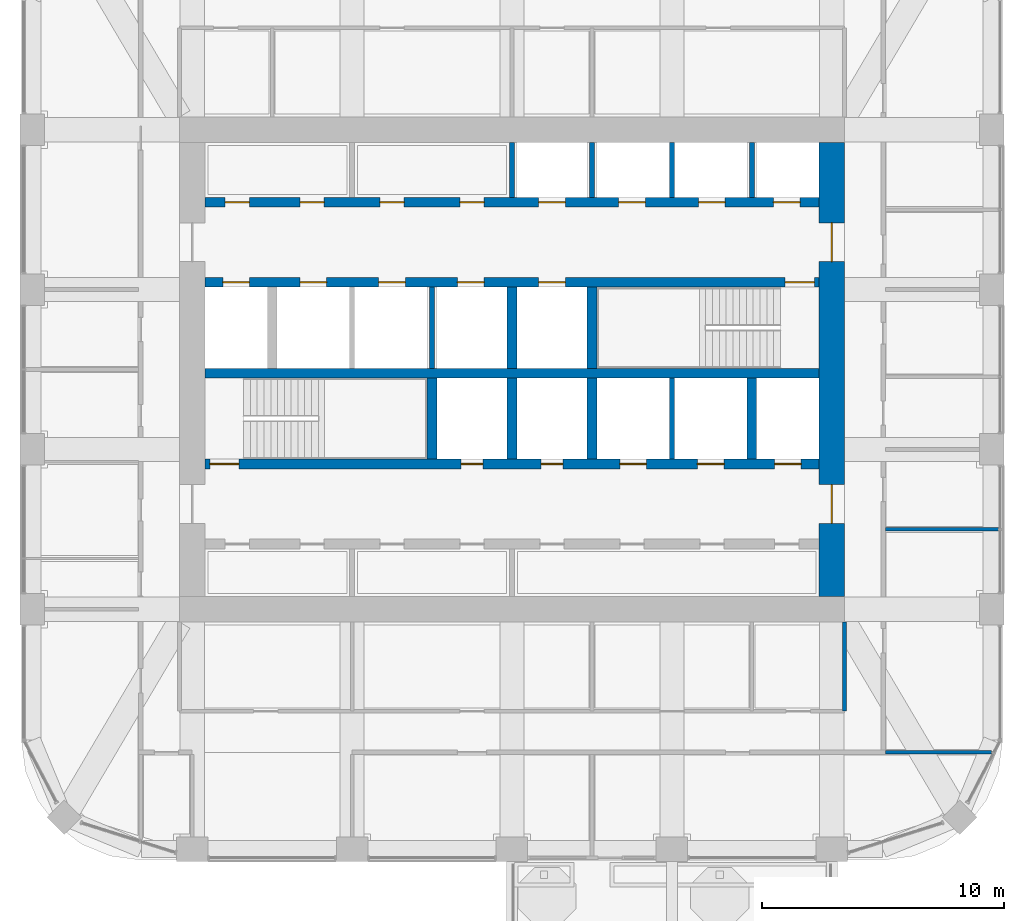
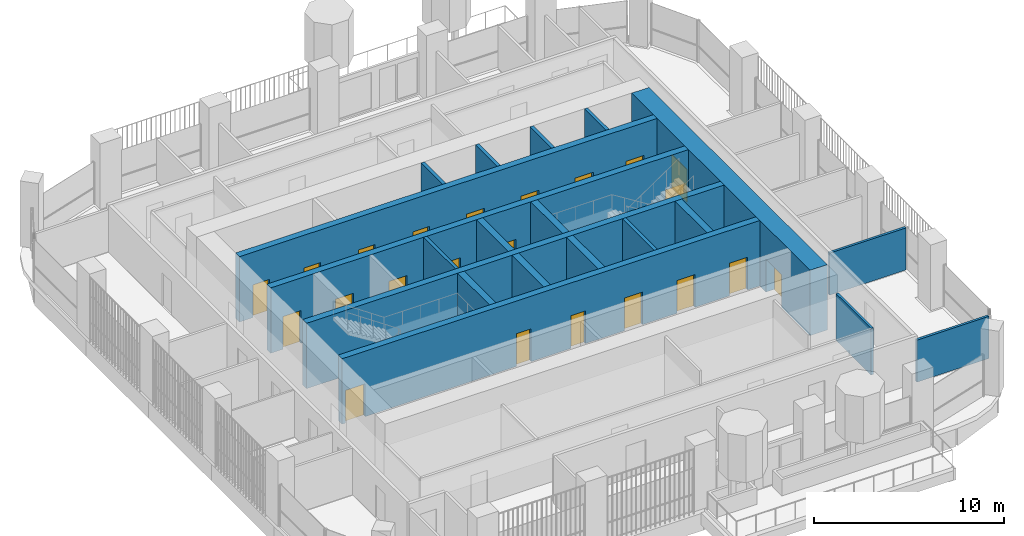
# One storey, part 15 of 21: 22 doors, 20 walls, 22 openings.
"""IFC4 building model written with IfcOpenShell, lengths in metres."""

from ifc_helpers import new_model, si_unit, direction, frame, frame_2d, origin, place, context, subcontext, project, spatial, rectangle, extrude, material, layer, layer_set, type_object, element, fill, save


model = new_model("IFC4")

# Units and contexts
model_context = context("Model", 3, precision=1e-05, world=origin(), true_north=direction((0.0, 1.0)))
body_context = subcontext(model_context, "Body", "Model", "MODEL_VIEW")
ifc_project = project(units=[si_unit("LENGTHUNIT", "METRE"), si_unit("AREAUNIT", "SQUARE_METRE"), si_unit("VOLUMEUNIT", "CUBIC_METRE"), si_unit("PLANEANGLEUNIT", "RADIAN"), si_unit("MASSUNIT", "GRAM", prefix="KILO")], contexts=[model_context])

# Site, building, storey
site_placement = place(None, origin())
site = spatial("IfcSite", under=ifc_project, at=site_placement, CompositionType="ELEMENT")
building_placement = place(site_placement, origin())
building = spatial("IfcBuilding", under=site, at=building_placement, Name="Cobogo Forest Laboratory Tower", CompositionType="ELEMENT")
storey_placement = place(building_placement, frame((0.0, 0.0, 250.199951171875)))
storey = spatial("IfcBuildingStorey", under=building, at=storey_placement, Name="L57", CompositionType="ELEMENT", Elevation=250.199951171875)

# Wall, openings, doors
ifc_material_1 = material(Name="Concrete HA-50 (C50/60)", Category="concrete")
ifc_layer_1 = layer(ifc_material_1, 0.39990234375)
ifc_layer_set_1 = layer_set([ifc_layer_1], Name="CI400 core inner wall 400")
wall_type_1 = type_object("IfcWallType", Name="CI400 core inner wall 400", PredefinedType="SHEAR", material=ifc_layer_set_1)
wall_1_placement = place(storey_placement, frame((13.72509765625, 19.199951171875, 0.0), z_axis=(0.0, 0.0, 1.0), x_axis=(1.0, 0.0, 0.0)))
wall_1 = element("IfcWall", 1, at=wall_1_placement, inside=storey, type_object=wall_type_1, Name="Core wall CI-19.2 L57", PredefinedType="SHEAR", context=body_context, shape_type="SweptSolid", body=[
    extrude(rectangle(XDim=25.349853515625, YDim=0.39990234375, at=frame_2d((12.6748046875, 0.0))), origin(), (0.0, 0.0, 1.0), 4.199951171875),
])
opening_1_placement = place(wall_1_placement, frame((10.574951171875, 0.0, 0.0)))
opening_1 = element("IfcOpeningElement", 2, at=opening_1_placement, cuts=wall_1, Name="Opening L57-D25", PredefinedType="OPENING", context=body_context, shape_type="SweptSolid", body=[
    extrude(rectangle(XDim=0.89990234375, YDim=2.10009765625, at=frame_2d((0.449951171875, 1.050048828125))), frame((0.0, 0.2099609375, 0.0), z_axis=(0.0, -1.0, 0.0), x_axis=(1.0, 0.0, 0.0)), (0.0, 0.0, 1.0), 0.419921875),
])
opening_2_placement = place(wall_1_placement, frame((13.875, 0.0, 0.0)))
opening_2 = element("IfcOpeningElement", 3, at=opening_2_placement, cuts=wall_1, Name="Opening L57-D26", PredefinedType="OPENING", context=body_context, shape_type="SweptSolid", body=[
    extrude(rectangle(XDim=0.89990234375, YDim=2.10009765625, at=frame_2d((0.449951171875, 1.050048828125))), frame((0.0, 0.2099609375, 0.0), z_axis=(0.0, -1.0, 0.0), x_axis=(1.0, 0.0, 0.0)), (0.0, 0.0, 1.0), 0.419921875),
])
opening_3_placement = place(wall_1_placement, frame((0.199951171875, 0.0, 0.0)))
opening_3 = element("IfcOpeningElement", 4, at=opening_3_placement, cuts=wall_1, Name="Opening L57-D24", PredefinedType="OPENING", context=body_context, shape_type="SweptSolid", body=[
    extrude(rectangle(XDim=1.199951171875, YDim=2.10009765625, at=frame_2d((0.60009765625, 1.050048828125))), frame((0.0, 0.2099609375, 0.0), z_axis=(0.0, -1.0, 0.0), x_axis=(1.0, 0.0, 0.0)), (0.0, 0.0, 1.0), 0.419921875),
])
opening_4_placement = place(wall_1_placement, frame((23.512451171875, 0.0, 0.0)))
opening_4 = element("IfcOpeningElement", 5, at=opening_4_placement, cuts=wall_1, Name="Opening L57-LD-FL2", PredefinedType="OPENING", context=body_context, shape_type="SweptSolid", body=[
    extrude(rectangle(XDim=1.10009765625, YDim=2.10009765625, at=frame_2d((0.550048828125, 1.050048828125))), frame((0.0, 0.2099609375, 0.0), z_axis=(0.0, -1.0, 0.0), x_axis=(1.0, 0.0, 0.0)), (0.0, 0.0, 1.0), 0.419921875),
])
opening_5_placement = place(wall_1_placement, frame((17.125, 0.0, 0.0)))
opening_5 = element("IfcOpeningElement", 6, at=opening_5_placement, cuts=wall_1, Name="Opening L57-LD-LS1", PredefinedType="OPENING", context=body_context, shape_type="SweptSolid", body=[
    extrude(rectangle(XDim=1.10009765625, YDim=2.10009765625, at=frame_2d((0.550048828125, 1.050048828125))), frame((0.0, 0.2099609375, 0.0), z_axis=(0.0, -1.0, 0.0), x_axis=(1.0, 0.0, 0.0)), (0.0, 0.0, 1.0), 0.419921875),
])
opening_6_placement = place(wall_1_placement, frame((20.324951171875, 0.0, 0.0)))
opening_6 = element("IfcOpeningElement", 7, at=opening_6_placement, cuts=wall_1, Name="Opening L57-LD-LS2", PredefinedType="OPENING", context=body_context, shape_type="SweptSolid", body=[
    extrude(rectangle(XDim=1.10009765625, YDim=2.10009765625, at=frame_2d((0.550048828125, 1.050048828125))), frame((0.0, 0.2099609375, 0.0), z_axis=(0.0, -1.0, 0.0), x_axis=(1.0, 0.0, 0.0)), (0.0, 0.0, 1.0), 0.419921875),
])
ifc_material_2 = material(Name="Steel fire door", Category="steel")
door_type_1 = type_object("IfcDoorType", Name="DS1 protected stair door 1200 EI2 60", OperationType="SINGLE_SWING_LEFT", PredefinedType="DOOR", material=ifc_material_2)
door_1_placement = place(opening_3_placement, origin())
door_1 = element("IfcDoor", 8, at=door_1_placement, inside=storey, type_object=door_type_1, Name="Door L57-ST1", OperationType="SINGLE_SWING_LEFT", OverallHeight=2.10009765625, OverallWidth=1.199951171875, PredefinedType="DOOR", context=body_context, shape_type="SweptSolid", body=[
    extrude(rectangle(XDim=1.199951171875, YDim=2.10009765625, at=frame_2d((0.60009765625, 1.050048828125))), frame((0.0, 0.02490234375, 0.0), z_axis=(0.0, -1.0, 0.0), x_axis=(1.0, 0.0, 0.0)), (0.0, 0.0, 1.0), 0.050048828125),
])
fill(opening_3, door_1)
door_type_2 = type_object("IfcDoorType", Name="FD4 riser access door 900 EI2 60", OperationType="SINGLE_SWING_LEFT", PredefinedType="DOOR", material=ifc_material_2)
door_2_placement = place(opening_1_placement, origin())
door_2 = element("IfcDoor", 9, at=door_2_placement, inside=storey, type_object=door_type_2, Name="Door L57-R1", OperationType="SINGLE_SWING_LEFT", OverallHeight=2.10009765625, OverallWidth=0.89990234375, PredefinedType="DOOR", context=body_context, shape_type="SweptSolid", body=[
    extrude(rectangle(XDim=0.89990234375, YDim=2.10009765625, at=frame_2d((0.449951171875, 1.050048828125))), frame((0.0, 0.02490234375, 0.0), z_axis=(0.0, -1.0, 0.0), x_axis=(1.0, 0.0, 0.0)), (0.0, 0.0, 1.0), 0.050048828125),
])
fill(opening_1, door_2)
door_3_placement = place(opening_2_placement, origin())
door_3 = element("IfcDoor", 10, at=door_3_placement, inside=storey, type_object=door_type_2, Name="Door L57-R2", OperationType="SINGLE_SWING_RIGHT", OverallHeight=2.10009765625, OverallWidth=0.89990234375, PredefinedType="DOOR", context=body_context, shape_type="SweptSolid", body=[
    extrude(rectangle(XDim=0.89990234375, YDim=2.10009765625, at=frame_2d((0.449951171875, 1.050048828125))), frame((0.0, 0.02490234375, 0.0), z_axis=(0.0, -1.0, 0.0), x_axis=(1.0, 0.0, 0.0)), (0.0, 0.0, 1.0), 0.050048828125),
])
fill(opening_2, door_3)
ifc_material_3 = material(Name="Stainless steel lift door", Category="steel")
door_type_3 = type_object("IfcDoorType", Name="LD lift landing door 1100", OperationType="DOUBLE_DOOR_SLIDING", PredefinedType="DOOR", material=ifc_material_3)
door_4_placement = place(opening_4_placement, origin())
door_4 = element("IfcDoor", 11, at=door_4_placement, inside=storey, type_object=door_type_3, Name="Lift landing door FL2 L57", OperationType="DOUBLE_DOOR_SLIDING", OverallHeight=2.10009765625, OverallWidth=1.10009765625, PredefinedType="DOOR", context=body_context, shape_type="SweptSolid", body=[
    extrude(rectangle(XDim=1.10009765625, YDim=2.10009765625, at=frame_2d((0.550048828125, 1.050048828125))), frame((0.0, 0.02490234375, 0.0), z_axis=(0.0, -1.0, 0.0), x_axis=(1.0, 0.0, 0.0)), (0.0, 0.0, 1.0), 0.050048828125),
])
fill(opening_4, door_4)
door_5_placement = place(opening_5_placement, origin())
door_5 = element("IfcDoor", 12, at=door_5_placement, inside=storey, type_object=door_type_3, Name="Lift landing door LS1 L57", OperationType="DOUBLE_DOOR_SLIDING", OverallHeight=2.10009765625, OverallWidth=1.10009765625, PredefinedType="DOOR", context=body_context, shape_type="SweptSolid", body=[
    extrude(rectangle(XDim=1.10009765625, YDim=2.10009765625, at=frame_2d((0.550048828125, 1.050048828125))), frame((0.0, 0.02490234375, 0.0), z_axis=(0.0, -1.0, 0.0), x_axis=(1.0, 0.0, 0.0)), (0.0, 0.0, 1.0), 0.050048828125),
])
fill(opening_5, door_5)
door_6_placement = place(opening_6_placement, origin())
door_6 = element("IfcDoor", 13, at=door_6_placement, inside=storey, type_object=door_type_3, Name="Lift landing door LS2 L57", OperationType="DOUBLE_DOOR_SLIDING", OverallHeight=2.10009765625, OverallWidth=1.10009765625, PredefinedType="DOOR", context=body_context, shape_type="SweptSolid", body=[
    extrude(rectangle(XDim=1.10009765625, YDim=2.10009765625, at=frame_2d((0.550048828125, 1.050048828125))), frame((0.0, 0.02490234375, 0.0), z_axis=(0.0, -1.0, 0.0), x_axis=(1.0, 0.0, 0.0)), (0.0, 0.0, 1.0), 0.050048828125),
])
fill(opening_6, door_6)

# Wall
wall_2_placement = place(storey_placement, frame((13.72509765625, 22.949951171875, 0.0), z_axis=(0.0, 0.0, 1.0), x_axis=(1.0, 0.0, 0.0)))
element("IfcWall", 14, at=wall_2_placement, inside=storey, type_object=wall_type_1, Name="Core wall CI-22.95 L57", PredefinedType="SHEAR", context=body_context, shape_type="SweptSolid", body=[
    extrude(rectangle(XDim=25.349853515625, YDim=0.39990234375, at=frame_2d((12.6748046875, 0.0))), origin(), (0.0, 0.0, 1.0), 4.199951171875),
])

# Wall, openings, doors
wall_3_placement = place(storey_placement, frame((13.72509765625, 26.699951171875, 0.0), z_axis=(0.0, 0.0, 1.0), x_axis=(1.0, 0.0, 0.0)))
wall_3 = element("IfcWall", 15, at=wall_3_placement, inside=storey, type_object=wall_type_1, Name="Core wall CI-26.7 L57", PredefinedType="SHEAR", context=body_context, shape_type="SweptSolid", body=[
    extrude(rectangle(XDim=25.349853515625, YDim=0.39990234375, at=frame_2d((12.6748046875, 0.0))), origin(), (0.0, 0.0, 1.0), 4.199951171875),
])
opening_7_placement = place(wall_3_placement, frame((23.949951171875, 0.0, 0.0)))
opening_7 = element("IfcOpeningElement", 16, at=opening_7_placement, cuts=wall_3, Name="Opening L57-D31", PredefinedType="OPENING", context=body_context, shape_type="SweptSolid", body=[
    extrude(rectangle(XDim=1.199951171875, YDim=2.10009765625, at=frame_2d((0.60009765625, 1.050048828125))), frame((0.0, 0.2099609375, 0.0), z_axis=(0.0, -1.0, 0.0), x_axis=(1.0, 0.0, 0.0)), (0.0, 0.0, 1.0), 0.419921875),
])
opening_8_placement = place(wall_3_placement, frame((0.737548828125, 0.0, 0.0)))
opening_8 = element("IfcOpeningElement", 17, at=opening_8_placement, cuts=wall_3, Name="Opening L57-LD-FL1", PredefinedType="OPENING", context=body_context, shape_type="SweptSolid", body=[
    extrude(rectangle(XDim=1.10009765625, YDim=2.10009765625, at=frame_2d((0.550048828125, 1.050048828125))), frame((0.0, 0.2099609375, 0.0), z_axis=(0.0, -1.0, 0.0), x_axis=(1.0, 0.0, 0.0)), (0.0, 0.0, 1.0), 0.419921875),
])
opening_9_placement = place(wall_3_placement, frame((3.925048828125, 0.0, 0.0)))
opening_9 = element("IfcOpeningElement", 18, at=opening_9_placement, cuts=wall_3, Name="Opening L57-LD-LS3", PredefinedType="OPENING", context=body_context, shape_type="SweptSolid", body=[
    extrude(rectangle(XDim=1.10009765625, YDim=2.10009765625, at=frame_2d((0.550048828125, 1.050048828125))), frame((0.0, 0.2099609375, 0.0), z_axis=(0.0, -1.0, 0.0), x_axis=(1.0, 0.0, 0.0)), (0.0, 0.0, 1.0), 0.419921875),
])
opening_10_placement = place(wall_3_placement, frame((7.175048828125, 0.0, 0.0)))
opening_10 = element("IfcOpeningElement", 19, at=opening_10_placement, cuts=wall_3, Name="Opening L57-LD-LS4", PredefinedType="OPENING", context=body_context, shape_type="SweptSolid", body=[
    extrude(rectangle(XDim=1.10009765625, YDim=2.10009765625, at=frame_2d((0.550048828125, 1.050048828125))), frame((0.0, 0.2099609375, 0.0), z_axis=(0.0, -1.0, 0.0), x_axis=(1.0, 0.0, 0.0)), (0.0, 0.0, 1.0), 0.419921875),
])
opening_11_placement = place(wall_3_placement, frame((10.425048828125, 0.0, 0.0)))
opening_11 = element("IfcOpeningElement", 20, at=opening_11_placement, cuts=wall_3, Name="Opening L57-LD-LS5", PredefinedType="OPENING", context=body_context, shape_type="SweptSolid", body=[
    extrude(rectangle(XDim=1.10009765625, YDim=2.10009765625, at=frame_2d((0.550048828125, 1.050048828125))), frame((0.0, 0.2099609375, 0.0), z_axis=(0.0, -1.0, 0.0), x_axis=(1.0, 0.0, 0.0)), (0.0, 0.0, 1.0), 0.419921875),
])
opening_12_placement = place(wall_3_placement, frame((13.77490234375, 0.0, 0.0)))
opening_12 = element("IfcOpeningElement", 21, at=opening_12_placement, cuts=wall_3, Name="Opening L57-LD-LS6", PredefinedType="OPENING", context=body_context, shape_type="SweptSolid", body=[
    extrude(rectangle(XDim=1.10009765625, YDim=2.10009765625, at=frame_2d((0.550048828125, 1.050048828125))), frame((0.0, 0.2099609375, 0.0), z_axis=(0.0, -1.0, 0.0), x_axis=(1.0, 0.0, 0.0)), (0.0, 0.0, 1.0), 0.419921875),
])
door_7_placement = place(opening_7_placement, origin())
door_7 = element("IfcDoor", 22, at=door_7_placement, inside=storey, type_object=door_type_1, Name="Door L57-ST2", OperationType="SINGLE_SWING_RIGHT", OverallHeight=2.10009765625, OverallWidth=1.199951171875, PredefinedType="DOOR", context=body_context, shape_type="SweptSolid", body=[
    extrude(rectangle(XDim=1.199951171875, YDim=2.10009765625, at=frame_2d((0.60009765625, 1.050048828125))), frame((0.0, 0.02490234375, 0.0), z_axis=(0.0, -1.0, 0.0), x_axis=(1.0, 0.0, 0.0)), (0.0, 0.0, 1.0), 0.050048828125),
])
fill(opening_7, door_7)
door_8_placement = place(opening_8_placement, origin())
door_8 = element("IfcDoor", 23, at=door_8_placement, inside=storey, type_object=door_type_3, Name="Lift landing door FL1 L57", OperationType="DOUBLE_DOOR_SLIDING", OverallHeight=2.10009765625, OverallWidth=1.10009765625, PredefinedType="DOOR", context=body_context, shape_type="SweptSolid", body=[
    extrude(rectangle(XDim=1.10009765625, YDim=2.10009765625, at=frame_2d((0.550048828125, 1.050048828125))), frame((0.0, 0.02490234375, 0.0), z_axis=(0.0, -1.0, 0.0), x_axis=(1.0, 0.0, 0.0)), (0.0, 0.0, 1.0), 0.050048828125),
])
fill(opening_8, door_8)
door_9_placement = place(opening_9_placement, origin())
door_9 = element("IfcDoor", 24, at=door_9_placement, inside=storey, type_object=door_type_3, Name="Lift landing door LS3 L57", OperationType="DOUBLE_DOOR_SLIDING", OverallHeight=2.10009765625, OverallWidth=1.10009765625, PredefinedType="DOOR", context=body_context, shape_type="SweptSolid", body=[
    extrude(rectangle(XDim=1.10009765625, YDim=2.10009765625, at=frame_2d((0.550048828125, 1.050048828125))), frame((0.0, 0.02490234375, 0.0), z_axis=(0.0, -1.0, 0.0), x_axis=(1.0, 0.0, 0.0)), (0.0, 0.0, 1.0), 0.050048828125),
])
fill(opening_9, door_9)
door_10_placement = place(opening_10_placement, origin())
door_10 = element("IfcDoor", 25, at=door_10_placement, inside=storey, type_object=door_type_3, Name="Lift landing door LS4 L57", OperationType="DOUBLE_DOOR_SLIDING", OverallHeight=2.10009765625, OverallWidth=1.10009765625, PredefinedType="DOOR", context=body_context, shape_type="SweptSolid", body=[
    extrude(rectangle(XDim=1.10009765625, YDim=2.10009765625, at=frame_2d((0.550048828125, 1.050048828125))), frame((0.0, 0.02490234375, 0.0), z_axis=(0.0, -1.0, 0.0), x_axis=(1.0, 0.0, 0.0)), (0.0, 0.0, 1.0), 0.050048828125),
])
fill(opening_10, door_10)
door_11_placement = place(opening_11_placement, origin())
door_11 = element("IfcDoor", 26, at=door_11_placement, inside=storey, type_object=door_type_3, Name="Lift landing door LS5 L57", OperationType="DOUBLE_DOOR_SLIDING", OverallHeight=2.10009765625, OverallWidth=1.10009765625, PredefinedType="DOOR", context=body_context, shape_type="SweptSolid", body=[
    extrude(rectangle(XDim=1.10009765625, YDim=2.10009765625, at=frame_2d((0.550048828125, 1.050048828125))), frame((0.0, 0.02490234375, 0.0), z_axis=(0.0, -1.0, 0.0), x_axis=(1.0, 0.0, 0.0)), (0.0, 0.0, 1.0), 0.050048828125),
])
fill(opening_11, door_11)
door_12_placement = place(opening_12_placement, origin())
door_12 = element("IfcDoor", 27, at=door_12_placement, inside=storey, type_object=door_type_3, Name="Lift landing door LS6 L57", OperationType="DOUBLE_DOOR_SLIDING", OverallHeight=2.10009765625, OverallWidth=1.10009765625, PredefinedType="DOOR", context=body_context, shape_type="SweptSolid", body=[
    extrude(rectangle(XDim=1.10009765625, YDim=2.10009765625, at=frame_2d((0.550048828125, 1.050048828125))), frame((0.0, 0.02490234375, 0.0), z_axis=(0.0, -1.0, 0.0), x_axis=(1.0, 0.0, 0.0)), (0.0, 0.0, 1.0), 0.050048828125),
])
fill(opening_12, door_12)

wall_4_placement = place(storey_placement, frame((13.72509765625, 30.0, 0.0), z_axis=(0.0, 0.0, 1.0), x_axis=(1.0, 0.0, 0.0)))
wall_4 = element("IfcWall", 28, at=wall_4_placement, inside=storey, type_object=wall_type_1, Name="Core wall CI-30.0 L57", PredefinedType="SHEAR", context=body_context, shape_type="SweptSolid", body=[
    extrude(rectangle(XDim=25.349853515625, YDim=0.39990234375, at=frame_2d((12.6748046875, 0.0))), origin(), (0.0, 0.0, 1.0), 4.199951171875),
])
opening_13_placement = place(wall_4_placement, frame((0.83740234375, 0.0, 0.0)))
opening_13 = element("IfcOpeningElement", 29, at=opening_13_placement, cuts=wall_4, Name="Opening L57-D35", PredefinedType="OPENING", context=body_context, shape_type="SweptSolid", body=[
    extrude(rectangle(XDim=1.0, YDim=2.10009765625, at=frame_2d((0.5, 1.050048828125))), frame((0.0, 0.2099609375, 0.0), z_axis=(0.0, -1.0, 0.0), x_axis=(1.0, 0.0, 0.0)), (0.0, 0.0, 1.0), 0.419921875),
])
opening_14_placement = place(wall_4_placement, frame((3.925048828125, 0.0, 0.0)))
opening_14 = element("IfcOpeningElement", 30, at=opening_14_placement, cuts=wall_4, Name="Opening L57-D36", PredefinedType="OPENING", context=body_context, shape_type="SweptSolid", body=[
    extrude(rectangle(XDim=1.0, YDim=2.10009765625, at=frame_2d((0.5, 1.050048828125))), frame((0.0, 0.2099609375, 0.0), z_axis=(0.0, -1.0, 0.0), x_axis=(1.0, 0.0, 0.0)), (0.0, 0.0, 1.0), 0.419921875),
])
opening_15_placement = place(wall_4_placement, frame((7.22509765625, 0.0, 0.0)))
opening_15 = element("IfcOpeningElement", 31, at=opening_15_placement, cuts=wall_4, Name="Opening L57-D37", PredefinedType="OPENING", context=body_context, shape_type="SweptSolid", body=[
    extrude(rectangle(XDim=1.0, YDim=2.10009765625, at=frame_2d((0.5, 1.050048828125))), frame((0.0, 0.2099609375, 0.0), z_axis=(0.0, -1.0, 0.0), x_axis=(1.0, 0.0, 0.0)), (0.0, 0.0, 1.0), 0.419921875),
])
opening_16_placement = place(wall_4_placement, frame((10.52490234375, 0.0, 0.0)))
opening_16 = element("IfcOpeningElement", 32, at=opening_16_placement, cuts=wall_4, Name="Opening L57-D38", PredefinedType="OPENING", context=body_context, shape_type="SweptSolid", body=[
    extrude(rectangle(XDim=1.0, YDim=2.10009765625, at=frame_2d((0.5, 1.050048828125))), frame((0.0, 0.2099609375, 0.0), z_axis=(0.0, -1.0, 0.0), x_axis=(1.0, 0.0, 0.0)), (0.0, 0.0, 1.0), 0.419921875),
])
opening_17_placement = place(wall_4_placement, frame((13.77490234375, 0.0, 0.0)))
opening_17 = element("IfcOpeningElement", 33, at=opening_17_placement, cuts=wall_4, Name="Opening L57-LD-LD1", PredefinedType="OPENING", context=body_context, shape_type="SweptSolid", body=[
    extrude(rectangle(XDim=1.10009765625, YDim=2.10009765625, at=frame_2d((0.550048828125, 1.050048828125))), frame((0.0, 0.2099609375, 0.0), z_axis=(0.0, -1.0, 0.0), x_axis=(1.0, 0.0, 0.0)), (0.0, 0.0, 1.0), 0.419921875),
])
opening_18_placement = place(wall_4_placement, frame((17.074951171875, 0.0, 0.0)))
opening_18 = element("IfcOpeningElement", 34, at=opening_18_placement, cuts=wall_4, Name="Opening L57-LD-LD2", PredefinedType="OPENING", context=body_context, shape_type="SweptSolid", body=[
    extrude(rectangle(XDim=1.10009765625, YDim=2.10009765625, at=frame_2d((0.550048828125, 1.050048828125))), frame((0.0, 0.2099609375, 0.0), z_axis=(0.0, -1.0, 0.0), x_axis=(1.0, 0.0, 0.0)), (0.0, 0.0, 1.0), 0.419921875),
])
opening_19_placement = place(wall_4_placement, frame((20.375, 0.0, 0.0)))
opening_19 = element("IfcOpeningElement", 35, at=opening_19_placement, cuts=wall_4, Name="Opening L57-LD-LD3", PredefinedType="OPENING", context=body_context, shape_type="SweptSolid", body=[
    extrude(rectangle(XDim=1.10009765625, YDim=2.10009765625, at=frame_2d((0.550048828125, 1.050048828125))), frame((0.0, 0.2099609375, 0.0), z_axis=(0.0, -1.0, 0.0), x_axis=(1.0, 0.0, 0.0)), (0.0, 0.0, 1.0), 0.419921875),
])
opening_20_placement = place(wall_4_placement, frame((23.46240234375, 0.0, 0.0)))
opening_20 = element("IfcOpeningElement", 36, at=opening_20_placement, cuts=wall_4, Name="Opening L57-LD-LD4", PredefinedType="OPENING", context=body_context, shape_type="SweptSolid", body=[
    extrude(rectangle(XDim=1.10009765625, YDim=2.10009765625, at=frame_2d((0.550048828125, 1.050048828125))), frame((0.0, 0.2099609375, 0.0), z_axis=(0.0, -1.0, 0.0), x_axis=(1.0, 0.0, 0.0)), (0.0, 0.0, 1.0), 0.419921875),
])
door_type_4 = type_object("IfcDoorType", Name="FD1 fire door 1000 EI2 60", OperationType="SINGLE_SWING_LEFT", PredefinedType="DOOR", material=ifc_material_2)
door_13_placement = place(opening_13_placement, origin())
door_13 = element("IfcDoor", 37, at=door_13_placement, inside=storey, type_object=door_type_4, Name="Door L57-SH-LC1", OperationType="SINGLE_SWING_LEFT", OverallHeight=2.10009765625, OverallWidth=1.0, PredefinedType="DOOR", context=body_context, shape_type="SweptSolid", body=[
    extrude(rectangle(XDim=1.0, YDim=2.10009765625, at=frame_2d((0.5, 1.050048828125))), frame((0.0, 0.02490234375, 0.0), z_axis=(0.0, -1.0, 0.0), x_axis=(1.0, 0.0, 0.0)), (0.0, 0.0, 1.0), 0.050048828125),
])
fill(opening_13, door_13)
door_14_placement = place(opening_14_placement, origin())
door_14 = element("IfcDoor", 38, at=door_14_placement, inside=storey, type_object=door_type_4, Name="Door L57-SH-LC2", OperationType="SINGLE_SWING_LEFT", OverallHeight=2.10009765625, OverallWidth=1.0, PredefinedType="DOOR", context=body_context, shape_type="SweptSolid", body=[
    extrude(rectangle(XDim=1.0, YDim=2.10009765625, at=frame_2d((0.5, 1.050048828125))), frame((0.0, 0.02490234375, 0.0), z_axis=(0.0, -1.0, 0.0), x_axis=(1.0, 0.0, 0.0)), (0.0, 0.0, 1.0), 0.050048828125),
])
fill(opening_14, door_14)
door_15_placement = place(opening_15_placement, origin())
door_15 = element("IfcDoor", 39, at=door_15_placement, inside=storey, type_object=door_type_4, Name="Door L57-SH-LC3", OperationType="SINGLE_SWING_LEFT", OverallHeight=2.10009765625, OverallWidth=1.0, PredefinedType="DOOR", context=body_context, shape_type="SweptSolid", body=[
    extrude(rectangle(XDim=1.0, YDim=2.10009765625, at=frame_2d((0.5, 1.050048828125))), frame((0.0, 0.02490234375, 0.0), z_axis=(0.0, -1.0, 0.0), x_axis=(1.0, 0.0, 0.0)), (0.0, 0.0, 1.0), 0.050048828125),
])
fill(opening_15, door_15)
door_16_placement = place(opening_16_placement, origin())
door_16 = element("IfcDoor", 40, at=door_16_placement, inside=storey, type_object=door_type_4, Name="Door L57-SH-LC4", OperationType="SINGLE_SWING_LEFT", OverallHeight=2.10009765625, OverallWidth=1.0, PredefinedType="DOOR", context=body_context, shape_type="SweptSolid", body=[
    extrude(rectangle(XDim=1.0, YDim=2.10009765625, at=frame_2d((0.5, 1.050048828125))), frame((0.0, 0.02490234375, 0.0), z_axis=(0.0, -1.0, 0.0), x_axis=(1.0, 0.0, 0.0)), (0.0, 0.0, 1.0), 0.050048828125),
])
fill(opening_16, door_16)
door_17_placement = place(opening_17_placement, origin())
door_17 = element("IfcDoor", 41, at=door_17_placement, inside=storey, type_object=door_type_3, Name="Lift landing door LD1 L57", OperationType="DOUBLE_DOOR_SLIDING", OverallHeight=2.10009765625, OverallWidth=1.10009765625, PredefinedType="DOOR", context=body_context, shape_type="SweptSolid", body=[
    extrude(rectangle(XDim=1.10009765625, YDim=2.10009765625, at=frame_2d((0.550048828125, 1.050048828125))), frame((0.0, 0.02490234375, 0.0), z_axis=(0.0, -1.0, 0.0), x_axis=(1.0, 0.0, 0.0)), (0.0, 0.0, 1.0), 0.050048828125),
])
fill(opening_17, door_17)
door_18_placement = place(opening_18_placement, origin())
door_18 = element("IfcDoor", 42, at=door_18_placement, inside=storey, type_object=door_type_3, Name="Lift landing door LD2 L57", OperationType="DOUBLE_DOOR_SLIDING", OverallHeight=2.10009765625, OverallWidth=1.10009765625, PredefinedType="DOOR", context=body_context, shape_type="SweptSolid", body=[
    extrude(rectangle(XDim=1.10009765625, YDim=2.10009765625, at=frame_2d((0.550048828125, 1.050048828125))), frame((0.0, 0.02490234375, 0.0), z_axis=(0.0, -1.0, 0.0), x_axis=(1.0, 0.0, 0.0)), (0.0, 0.0, 1.0), 0.050048828125),
])
fill(opening_18, door_18)
door_19_placement = place(opening_19_placement, origin())
door_19 = element("IfcDoor", 43, at=door_19_placement, inside=storey, type_object=door_type_3, Name="Lift landing door LD3 L57", OperationType="DOUBLE_DOOR_SLIDING", OverallHeight=2.10009765625, OverallWidth=1.10009765625, PredefinedType="DOOR", context=body_context, shape_type="SweptSolid", body=[
    extrude(rectangle(XDim=1.10009765625, YDim=2.10009765625, at=frame_2d((0.550048828125, 1.050048828125))), frame((0.0, 0.02490234375, 0.0), z_axis=(0.0, -1.0, 0.0), x_axis=(1.0, 0.0, 0.0)), (0.0, 0.0, 1.0), 0.050048828125),
])
fill(opening_19, door_19)
door_20_placement = place(opening_20_placement, origin())
door_20 = element("IfcDoor", 44, at=door_20_placement, inside=storey, type_object=door_type_3, Name="Lift landing door LD4 L57", OperationType="DOUBLE_DOOR_SLIDING", OverallHeight=2.10009765625, OverallWidth=1.10009765625, PredefinedType="DOOR", context=body_context, shape_type="SweptSolid", body=[
    extrude(rectangle(XDim=1.10009765625, YDim=2.10009765625, at=frame_2d((0.550048828125, 1.050048828125))), frame((0.0, 0.02490234375, 0.0), z_axis=(0.0, -1.0, 0.0), x_axis=(1.0, 0.0, 0.0)), (0.0, 0.0, 1.0), 0.050048828125),
])
fill(opening_20, door_20)

# Walls
for number, where, z_axis, x_axis, name in (
    (45, (23.10009765625, 19.39990234375, 0.0), (0.0, 0.0, 1.0), (0.0, 1.0, 0.0), "Core wall CX-23.1 L57"),
    (46, (26.39990234375, 19.39990234375, 0.0), (0.0, 0.0, 1.0), (0.0, 1.0, 0.0), "Core wall CX-26.4S L57"),
    (47, (29.699951171875, 19.39990234375, 0.0), (0.0, 0.0, 1.0), (0.0, 1.0, 0.0), "Core wall CX-29.7S L57"),
    (48, (36.300048828125, 19.39990234375, 0.0), (0.0, 0.0, 1.0), (0.0, 1.0, 0.0), "Core wall CX-36.3 L57"),
    (49, (26.39990234375, 23.14990234375, 0.0), (0.0, 0.0, 1.0), (0.0, 1.0, 0.0), "Core wall CX-26.4N L57"),
    (50, (29.699951171875, 23.14990234375, 0.0), (0.0, 0.0, 1.0), (0.0, 1.0, 0.0), "Core wall CX-29.7N L57"),
):
    element("IfcWall", number, at=place(storey_placement, frame(where, z_axis=z_axis, x_axis=x_axis)), inside=storey, type_object=wall_type_1, Name=name, PredefinedType="SHEAR", context=body_context, shape_type="SweptSolid", body=[
        extrude(rectangle(XDim=3.35009765625, YDim=0.39990234375, at=frame_2d((1.675048828125, 0.0))), origin(), (0.0, 0.0, 1.0), 4.199951171875),
    ])

# Wall, openings, doors
ifc_layer_2 = layer(ifc_material_1, 1.050048828125)
ifc_layer_set_2 = layer_set([ifc_layer_2], Name="CW1050 core outer wall 1050")
wall_type_2 = type_object("IfcWallType", Name="CW1050 core outer wall 1050", PredefinedType="SHEAR", material=ifc_layer_set_2)
wall_5_placement = place(storey_placement, frame((39.60009765625, 13.72509765625, 0.0), z_axis=(0.0, 0.0, 1.0), x_axis=(0.0, 1.0, 0.0)))
wall_5 = element("IfcWall", 51, at=wall_5_placement, inside=storey, type_object=wall_type_2, Name="Core wall CO-E L57", PredefinedType="SHEAR", context=body_context, shape_type="SweptSolid", body=[
    extrude(rectangle(XDim=18.75, YDim=1.050048828125, at=frame_2d((9.375, 0.0))), origin(), (0.0, 0.0, 1.0), 4.199951171875),
])
opening_21_placement = place(wall_5_placement, frame((3.02490234375, 0.0, 0.0)))
opening_21 = element("IfcOpeningElement", 52, at=opening_21_placement, cuts=wall_5, Name="Opening L57-D22", PredefinedType="OPENING", context=body_context, shape_type="SweptSolid", body=[
    extrude(rectangle(XDim=1.60009765625, YDim=2.10009765625, at=frame_2d((0.800048828125, 1.050048828125))), frame((0.0, 0.534912109375, 0.0), z_axis=(0.0, -1.0, 0.0), x_axis=(1.0, 0.0, 0.0)), (0.0, 0.0, 1.0), 1.070068359375),
])
opening_22_placement = place(wall_5_placement, frame((13.824951171875, 0.0, 0.0)))
opening_22 = element("IfcOpeningElement", 53, at=opening_22_placement, cuts=wall_5, Name="Opening L57-D34", PredefinedType="OPENING", context=body_context, shape_type="SweptSolid", body=[
    extrude(rectangle(XDim=1.60009765625, YDim=2.10009765625, at=frame_2d((0.800048828125, 1.050048828125))), frame((0.0, 0.534912109375, 0.0), z_axis=(0.0, -1.0, 0.0), x_axis=(1.0, 0.0, 0.0)), (0.0, 0.0, 1.0), 1.070068359375),
])
door_type_5 = type_object("IfcDoorType", Name="DS2 protected lobby door pair 1600 EI2 60", OperationType="DOUBLE_DOOR_DOUBLE_SWING", PredefinedType="DOOR", material=ifc_material_2)
door_21_placement = place(opening_21_placement, origin())
door_21 = element("IfcDoor", 54, at=door_21_placement, inside=storey, type_object=door_type_5, Name="Door L57-CO-E-S", OperationType="DOUBLE_DOOR_DOUBLE_SWING", OverallHeight=2.10009765625, OverallWidth=1.60009765625, PredefinedType="DOOR", context=body_context, shape_type="SweptSolid", body=[
    extrude(rectangle(XDim=1.60009765625, YDim=2.10009765625, at=frame_2d((0.800048828125, 1.050048828125))), frame((0.0, 0.02490234375, 0.0), z_axis=(0.0, -1.0, 0.0), x_axis=(1.0, 0.0, 0.0)), (0.0, 0.0, 1.0), 0.050048828125),
])
fill(opening_21, door_21)
door_22_placement = place(opening_22_placement, origin())
door_22 = element("IfcDoor", 55, at=door_22_placement, inside=storey, type_object=door_type_5, Name="Door L57-CO-E-N", OperationType="DOUBLE_DOOR_DOUBLE_SWING", OverallHeight=2.10009765625, OverallWidth=1.60009765625, PredefinedType="DOOR", context=body_context, shape_type="SweptSolid", body=[
    extrude(rectangle(XDim=1.60009765625, YDim=2.10009765625, at=frame_2d((0.800048828125, 1.050048828125))), frame((0.0, 0.02490234375, 0.0), z_axis=(0.0, -1.0, 0.0), x_axis=(1.0, 0.0, 0.0)), (0.0, 0.0, 1.0), 0.050048828125),
])
fill(opening_22, door_22)

# Walls
ifc_material_4 = material(Name="Gypsum board on steel studs", Category="steel")
ifc_layer_3 = layer(ifc_material_4, 0.14990234375)
ifc_layer_set_3 = layer_set([ifc_layer_3], Name="PT1 laboratory partition 150")
wall_type_3 = type_object("IfcWallType", Name="PT1 laboratory partition 150", PredefinedType="PARTITIONING", material=ifc_layer_set_3)
wall_6_placement = place(storey_placement, frame((40.125, 12.675048828125, 0.0), z_axis=(0.0, 0.0, 1.0), x_axis=(0.0, -1.0, 0.0)))
element("IfcWall", 56, at=wall_6_placement, inside=storey, type_object=wall_type_3, Name="Partition CSTRIP-SE L57", PredefinedType="PARTITIONING", context=body_context, shape_type="SweptSolid", body=[
    extrude(rectangle(XDim=3.675048828125, YDim=0.14990234375, at=frame_2d((1.83740234375, 0.0))), origin(), (0.0, 0.0, 1.0), 3.0),
])
wall_7_placement = place(storey_placement, frame((46.197509765625, 7.300048828125, 0.0), z_axis=(0.0, 0.0, 1.0), x_axis=(-1.0, 0.0, 0.0)))
element("IfcWall", 57, at=wall_7_placement, inside=storey, type_object=wall_type_3, Name="Partition PW-SE L57", PredefinedType="PARTITIONING", context=body_context, shape_type="SweptSolid", body=[
    extrude(rectangle(XDim=4.37255859375, YDim=0.14990234375, at=frame_2d((2.186279296875, 0.0))), origin(), (0.0, 0.0, 1.0), 2.699951171875),
])
wall_8_placement = place(storey_placement, frame((46.469970703125, 16.5, 0.0), z_axis=(0.0, 0.0, 1.0), x_axis=(-1.0, 0.0, 0.0)))
element("IfcWall", 58, at=wall_8_placement, inside=storey, type_object=wall_type_3, Name="Partition CUT-E16.5-1 L57", PredefinedType="PARTITIONING", context=body_context, shape_type="SweptSolid", body=[
    extrude(rectangle(XDim=4.64501953125, YDim=0.14990234375, at=frame_2d((2.322509765625, 0.0))), origin(), (0.0, 0.0, 1.0), 2.699951171875),
])
ifc_material_5 = material(Name="Concrete block", Category="concrete")
ifc_layer_4 = layer(ifc_material_5, 0.199951171875)
ifc_layer_set_4 = layer_set([ifc_layer_4], Name="SW200 lift shaft separator 200")
wall_type_4 = type_object("IfcWallType", Name="SW200 lift shaft separator 200", PredefinedType="PARTITIONING", material=ifc_layer_set_4)
for number, where, z_axis, x_axis, name in (
    (59, (26.39990234375, 30.199951171875, 0.0), (0.0, 0.0, 1.0), (0.0, 1.0, 0.0), "Core wall SEP-N4 L57"),
    (60, (29.699951171875, 30.199951171875, 0.0), (0.0, 0.0, 1.0), (0.0, 1.0, 0.0), "Core wall SEP-N5 L57"),
    (61, (33.0, 30.199951171875, 0.0), (0.0, 0.0, 1.0), (0.0, 1.0, 0.0), "Core wall SEP-N6 L57"),
    (62, (36.300048828125, 30.199951171875, 0.0), (0.0, 0.0, 1.0), (0.0, 1.0, 0.0), "Core wall SEP-N7 L57"),
):
    element("IfcWall", number, at=place(storey_placement, frame(where, z_axis=z_axis, x_axis=x_axis)), inside=storey, type_object=wall_type_4, Name=name, PredefinedType="PARTITIONING", context=body_context, shape_type="SweptSolid", body=[
        extrude(rectangle(XDim=2.275146484375, YDim=0.199951171875, at=frame_2d((1.1376953125, 0.0))), origin(), (0.0, 0.0, 1.0), 4.199951171875),
    ])
for number, where, z_axis, x_axis, name in (
    (63, (33.0, 19.39990234375, 0.0), (0.0, 0.0, 1.0), (0.0, 1.0, 0.0), "Core wall SEP-M33.0 L57"),
    (64, (23.10009765625, 23.14990234375, 0.0), (0.0, 0.0, 1.0), (0.0, 1.0, 0.0), "Core wall SEP-M23.1 L57"),
):
    element("IfcWall", number, at=place(storey_placement, frame(where, z_axis=z_axis, x_axis=x_axis)), inside=storey, type_object=wall_type_4, Name=name, PredefinedType="PARTITIONING", context=body_context, shape_type="SweptSolid", body=[
        extrude(rectangle(XDim=3.35009765625, YDim=0.199951171875, at=frame_2d((1.675048828125, 0.0))), origin(), (0.0, 0.0, 1.0), 4.199951171875),
    ])

save(model, "model.ifc")
